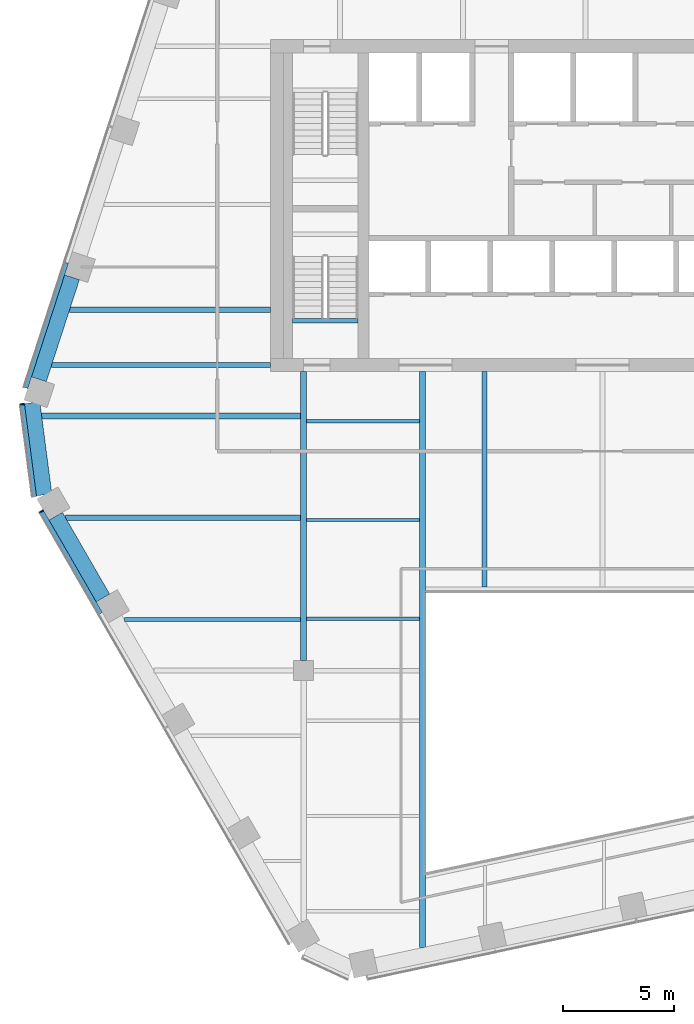
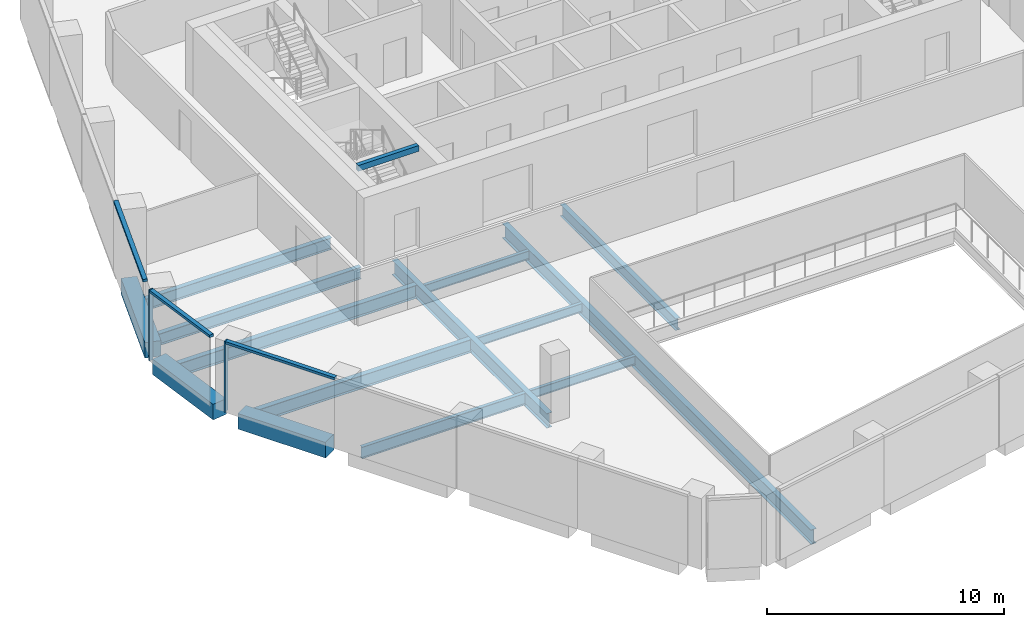
# One storey, part 3 of 15: 15 beams, 5 members, 3 elements without a shape of their own.
"""IFC4 building model written with IfcOpenShell, lengths in metres."""

from ifc_helpers import new_model, si_unit, direction, frame, origin, origin_2d, place, context, subcontext, project, spatial, rectangle, i_section, extrude, material, layer, layer_set, material_profile, profile_set, type_object, element, aggregate, save


model = new_model("IFC4")

# Units and contexts
model_context = context("Model", 3, precision=1e-05, world=origin(), true_north=direction((0.0, 1.0)))
body_context = subcontext(model_context, "Body", "Model", "MODEL_VIEW")
ifc_project = project(units=[si_unit("LENGTHUNIT", "METRE"), si_unit("AREAUNIT", "SQUARE_METRE"), si_unit("VOLUMEUNIT", "CUBIC_METRE"), si_unit("PLANEANGLEUNIT", "RADIAN"), si_unit("MASSUNIT", "GRAM", prefix="KILO")], contexts=[model_context])

# Site, building, storey
site_placement = place(None, origin())
site = spatial("IfcSite", under=ifc_project, at=site_placement, CompositionType="ELEMENT")
building_placement = place(site_placement, origin())
building = spatial("IfcBuilding", under=site, at=building_placement, Name="Isthmus Gate Tower", CompositionType="ELEMENT")
storey_placement = place(building_placement, frame((0.0, 0.0, 245.5)))
storey = spatial("IfcBuildingStorey", under=building, at=storey_placement, Name="L62", CompositionType="ELEMENT", Elevation=245.5)

# Curtain wall, member
ifc_material_1 = material(Name="Aluminium, pale champagne anodised", Category="aluminium")
ifc_layer = layer(ifc_material_1, 0.199951171875)
ifc_layer_set = layer_set([ifc_layer], Name="CW-1 UNITISED CURTAIN WALL 200 DEEP")
curtain_wall_type = type_object("IfcCurtainWallType", Name="CW-1 UNITISED CURTAIN WALL 200 DEEP", PredefinedType="NOTDEFINED", material=ifc_layer_set)
curtain_wall_1_placement = place(storey_placement, origin())
curtain_wall_1 = element("IfcCurtainWall", 1, at=curtain_wall_1_placement, inside=storey, type_object=curtain_wall_type, Name="CW-1 NW-SW L62", PredefinedType="NOTDEFINED")
ifc_material_2 = material(Name="Aluminium, pale champagne anodised", Category="aluminium")
ifc_material_profile_1 = material_profile(ifc_material_2, rectangle(XDim=0.06005859375, YDim=0.199951171875, at=origin_2d()), Name="60x200")
ifc_profile_set_1 = profile_set([ifc_material_profile_1], Name="Aluminium, pale champagne anodised")
member_type_1 = type_object("IfcMemberType", Name="CW-1 MULLION 60 X 200", PredefinedType="MULLION", material=ifc_profile_set_1)
member_1_placement = place(storey_placement, frame((-26.205322265625, -1.4658203125, 0.0), z_axis=(0.0, 0.0, 1.0), x_axis=(0.129164534, -0.991623175988, 0.0)))
member_1 = element("IfcMember", 2, at=member_1_placement, type_object=member_type_1, Name="CW-1 mullion", PredefinedType="MULLION", context=body_context, shape_type="SweptSolid", body=[
    extrude(rectangle(XDim=0.06005859375, YDim=0.199951171875, at=origin_2d()), origin(), (0.0, 0.0, 1.0), 3.64990234375),
])

curtain_wall_2_placement = place(storey_placement, origin())
curtain_wall_2 = element("IfcCurtainWall", 3, at=curtain_wall_2_placement, inside=storey, type_object=curtain_wall_type, Name="CW-1 SW L62", PredefinedType="NOTDEFINED")
member_2_placement = place(storey_placement, frame((-25.3427734375, -6.304931640625, 0.0), z_axis=(0.0, 0.0, 1.0), x_axis=(0.5, -0.866025403784, 0.0)))
member_2 = element("IfcMember", 4, at=member_2_placement, type_object=member_type_1, Name="CW-1 mullion", PredefinedType="MULLION", context=body_context, shape_type="SweptSolid", body=[
    extrude(rectangle(XDim=0.06005859375, YDim=0.199951171875, at=origin_2d()), origin(), (0.0, 0.0, 1.0), 3.64990234375),
])

curtain_wall_3_placement = place(storey_placement, origin())
curtain_wall_3 = element("IfcCurtainWall", 5, at=curtain_wall_3_placement, inside=storey, type_object=curtain_wall_type, Name="CW-1 NW L62", PredefinedType="NOTDEFINED")
ifc_material_3 = material(Name="Aluminium, pale champagne anodised", Category="aluminium")
ifc_material_profile_2 = material_profile(ifc_material_3, rectangle(XDim=0.199951171875, YDim=0.1298828125, at=origin_2d()), Name="200x130")
ifc_profile_set_2 = profile_set([ifc_material_profile_2], Name="Aluminium, pale champagne anodised")
member_type_2 = type_object("IfcMemberType", Name="CW-1 TRANSOM 200 X 130", PredefinedType="USERDEFINED", material=ifc_profile_set_2)
member_3_placement = place(storey_placement, frame((-24.217529296875, 4.92333984375, 3.5849609375), z_axis=(-0.309020108403, -0.951055504481, 0.0), x_axis=(0.951055504481, -0.309020108403, 0.0)))
member_3 = element("IfcMember", 6, at=member_3_placement, type_object=member_type_2, Name="CW-1 transom", ObjectType="TRANSOM", PredefinedType="USERDEFINED", context=body_context, shape_type="SweptSolid", body=[
    extrude(rectangle(XDim=0.199951171875, YDim=0.1298828125, at=origin_2d()), origin(), (0.0, 0.0, 1.0), 5.94189453125),
])
aggregate(curtain_wall_3, [member_3])

# Member
member_4_placement = place(storey_placement, frame((-26.20166015625, -1.495361328125, 3.5849609375), z_axis=(0.129206893318, -0.991617657527, 0.0), x_axis=(0.991617657527, 0.129206893318, 0.0)))
member_4 = element("IfcMember", 7, at=member_4_placement, type_object=member_type_2, Name="CW-1 transom", ObjectType="TRANSOM", PredefinedType="USERDEFINED", context=body_context, shape_type="SweptSolid", body=[
    extrude(rectangle(XDim=0.199951171875, YDim=0.1298828125, at=origin_2d()), origin(), (0.0, 0.0, 1.0), 4.181640625),
])

aggregate(curtain_wall_1, [member_1, member_4])

member_5_placement = place(storey_placement, frame((-25.327880859375, -6.3310546875, 3.5849609375), z_axis=(0.500022807565, -0.86601223543, 0.0), x_axis=(0.86601223543, 0.500022807565, 0.0)))
member_5 = element("IfcMember", 8, at=member_5_placement, type_object=member_type_2, Name="CW-1 transom", ObjectType="TRANSOM", PredefinedType="USERDEFINED", context=body_context, shape_type="SweptSolid", body=[
    extrude(rectangle(XDim=0.199951171875, YDim=0.1298828125, at=origin_2d()), origin(), (0.0, 0.0, 1.0), 5.300537109375),
])

aggregate(curtain_wall_2, [member_2, member_5])

# Beams
ifc_material_4 = material(Name="Concrete f'c 50 MPa", Category="concrete")
ifc_material_profile_3 = material_profile(ifc_material_4, rectangle(XDim=0.699951171875, YDim=0.800048828125, at=origin_2d()), Name="RC 700X800")
ifc_profile_set_3 = profile_set([ifc_material_profile_3], Name="Concrete f'c 50 MPa")
beam_type_1 = type_object("IfcBeamType", Name="RC SPANDREL 700 X 800", PredefinedType="SPANDREL", material=ifc_profile_set_3)
beam_1_placement = place(storey_placement, frame((-22.562744140625, -10.22021484375, -0.39990234375), z_axis=(-0.499996907167, 0.866027189425, 0.0), x_axis=(-0.866027189425, -0.499996907167, 0.0)))
element("IfcBeam", 9, at=beam_1_placement, inside=storey, type_object=beam_type_1, Name="str-spandrel-L62-19", PredefinedType="SPANDREL", context=body_context, shape_type="SweptSolid", body=[
    extrude(rectangle(XDim=0.699951171875, YDim=0.800048828125, at=origin_2d()), origin(), (0.0, 0.0, 1.0), 4.2607421875),
])
beam_2_placement = place(storey_placement, frame((-25.218017578125, -5.563232421875, -0.39990234375), z_axis=(-0.129137748309, 0.991626664608, 0.0), x_axis=(-0.991626664608, -0.129137748309, 0.0)))
element("IfcBeam", 10, at=beam_2_placement, inside=storey, type_object=beam_type_1, Name="str-spandrel-L62-20", PredefinedType="SPANDREL", context=body_context, shape_type="SweptSolid", body=[
    extrude(rectangle(XDim=0.699951171875, YDim=0.800048828125, at=origin_2d()), origin(), (0.0, 0.0, 1.0), 4.197021484375),
])
beam_3_placement = place(storey_placement, frame((-25.455810546875, -0.34375, -0.39990234375), z_axis=(0.309033626624, 0.951051111989, 0.0), x_axis=(-0.951051111989, 0.309033626624, 0.0)))
element("IfcBeam", 11, at=beam_3_placement, inside=storey, type_object=beam_type_1, Name="str-spandrel-L62-21", PredefinedType="SPANDREL", context=body_context, shape_type="SweptSolid", body=[
    extrude(rectangle(XDim=0.699951171875, YDim=0.800048828125, at=origin_2d()), origin(), (0.0, 0.0, 1.0), 4.842041015625),
])
ifc_material_5 = material(Name="Concrete f'c 40 MPa", Category="concrete")
ifc_material_profile_4 = material_profile(ifc_material_5, rectangle(XDim=0.199951171875, YDim=0.300048828125, at=origin_2d()), Name="STAIR LANDING BEAM RC 200 X 300")
ifc_profile_set_4 = profile_set([ifc_material_profile_4], Name="Concrete f'c 40 MPa")
beam_type_2 = type_object("IfcBeamType", Name="STAIR LANDING BEAM RC 200 X 300", PredefinedType="BEAM", material=ifc_profile_set_4)
beam_4_placement = place(storey_placement, frame((-14.0, 2.2998046875, 3.35009765625), z_axis=(1.0, 0.0, 0.0), x_axis=(0.0, 1.0, 0.0)))
element("IfcBeam", 12, at=beam_4_placement, inside=storey, type_object=beam_type_2, Name="L62 ST7 floor-edge seat beam", PredefinedType="BEAM", context=body_context, shape_type="SweptSolid", body=[
    extrude(rectangle(XDim=0.199951171875, YDim=0.300048828125, at=origin_2d()), origin(), (0.0, 0.0, 1.0), 2.949951171875),
])
ifc_material_6 = material(Name="Structural steel ASTM A992 Gr 50", Category="steel")
ifc_material_profile_5 = material_profile(ifc_material_6, i_section(OverallWidth=0.15234375, OverallDepth=0.45068359375, WebThickness=0.0078125, FlangeThickness=0.010986328125, at=origin_2d()), Name="W18X35")
ifc_profile_set_5 = profile_set([ifc_material_profile_5], Name="Structural steel ASTM A992 Gr 50")
beam_type_3 = type_object("IfcBeamType", Name="STEEL FLOOR BEAM W18X35", PredefinedType="JOIST", material=ifc_profile_set_5)
for number, where, z_axis, x_axis, name in (
    (13, (-13.3681640625, -11.16259765625, -0.37548828125), (1.0, 0.0, 0.0), (0.0, 1.0, 0.0), "str-beam-L62-03-00"),
    (14, (-13.3681640625, -6.697509765625, -0.37548828125), (1.0, 0.0, 0.0), (0.0, 1.0, 0.0), "str-beam-L62-03-01"),
    (15, (-13.3681640625, -2.232421875, -0.37548828125), (1.0, 0.0, 0.0), (0.0, 1.0, 0.0), "str-beam-L62-03-02"),
):
    element("IfcBeam", number, at=place(storey_placement, frame(where, z_axis=z_axis, x_axis=x_axis)), inside=storey, type_object=beam_type_3, Name=name, PredefinedType="JOIST", context=body_context, shape_type="SweptSolid", body=[
        extrude(i_section(OverallWidth=0.15234375, OverallDepth=0.45068359375, WebThickness=0.0078125, FlangeThickness=0.010986328125, at=origin_2d()), origin(), (0.0, 0.0, 1.0), 5.104736328125),
    ])
ifc_material_7 = material(Name="Structural steel ASTM A992 Gr 50", Category="steel")
ifc_material_profile_6 = material_profile(ifc_material_7, i_section(OverallWidth=0.177734375, OverallDepth=0.60009765625, WebThickness=0.009521484375, FlangeThickness=0.0126953125, at=origin_2d()), Name="W24X55")
ifc_profile_set_6 = profile_set([ifc_material_profile_6], Name="Structural steel ASTM A992 Gr 50")
beam_type_4 = type_object("IfcBeamType", Name="STEEL FLOOR BEAM W24X55", PredefinedType="JOIST", material=ifc_profile_set_6)
beam_5_placement = place(storey_placement, frame((-21.593017578125, -11.199951171875, -0.449951171875), z_axis=(1.0, 0.0, 0.0), x_axis=(0.0, 1.0, 0.0)))
element("IfcBeam", 16, at=beam_5_placement, inside=storey, type_object=beam_type_4, Name="str-beam-L62-01-00", PredefinedType="JOIST", context=body_context, shape_type="SweptSolid", body=[
    extrude(i_section(OverallWidth=0.177734375, OverallDepth=0.60009765625, WebThickness=0.009521484375, FlangeThickness=0.0126953125, at=origin_2d()), origin(), (0.0, 0.0, 1.0), 7.961181640625),
])
ifc_material_8 = material(Name="Structural steel ASTM A992 Gr 50", Category="steel")
ifc_material_profile_7 = material_profile(ifc_material_8, i_section(OverallWidth=0.228515625, OverallDepth=0.603271484375, WebThickness=0.010986328125, FlangeThickness=0.014404296875, at=origin_2d()), Name="W24X68")
ifc_profile_set_7 = profile_set([ifc_material_profile_7], Name="Structural steel ASTM A992 Gr 50")
beam_type_5 = type_object("IfcBeamType", Name="STEEL FLOOR BEAM W24X68", PredefinedType="JOIST", material=ifc_profile_set_7)
beam_6_placement = place(storey_placement, frame((-24.06787109375, 2.795166015625, -0.45166015625), z_axis=(1.0, 0.0, 0.0), x_axis=(0.0, 1.0, 0.0)))
element("IfcBeam", 17, at=beam_6_placement, inside=storey, type_object=beam_type_5, Name="str-beam-L62-00-00", PredefinedType="JOIST", context=body_context, shape_type="SweptSolid", body=[
    extrude(i_section(OverallWidth=0.228515625, OverallDepth=0.603271484375, WebThickness=0.010986328125, FlangeThickness=0.014404296875, at=origin_2d()), origin(), (0.0, 0.0, 1.0), 9.06787109375),
])
beam_7_placement = place(storey_placement, frame((-5.333251953125, -9.7333984375, -0.45166015625), z_axis=(0.0, 1.0, 0.0), x_axis=(-1.0, 0.0, 0.0)))
element("IfcBeam", 18, at=beam_7_placement, inside=storey, type_object=beam_type_5, Name="str-beam-L62-07-00", PredefinedType="JOIST", context=body_context, shape_type="SweptSolid", body=[
    extrude(i_section(OverallWidth=0.228515625, OverallDepth=0.603271484375, WebThickness=0.010986328125, FlangeThickness=0.014404296875, at=origin_2d()), origin(), (0.0, 0.0, 1.0), 9.7333984375),
])
ifc_material_9 = material(Name="Structural steel ASTM A992 Gr 50", Category="steel")
ifc_material_profile_8 = material_profile(ifc_material_9, i_section(OverallWidth=0.25390625, OverallDepth=0.679443359375, WebThickness=0.010986328125, FlangeThickness=0.015869140625, at=origin_2d()), Name="W27X84")
ifc_profile_set_8 = profile_set([ifc_material_profile_8], Name="Structural steel ASTM A992 Gr 50")
beam_type_6 = type_object("IfcBeamType", Name="STEEL FLOOR BEAM W27X84", PredefinedType="JOIST", material=ifc_profile_set_8)
beam_8_placement = place(storey_placement, frame((-24.248779296875, -6.60009765625, -0.48974609375), z_axis=(1.0, 0.0, 0.0), x_axis=(0.0, 1.0, 0.0)))
element("IfcBeam", 19, at=beam_8_placement, inside=storey, type_object=beam_type_6, Name="str-beam-L62-01-01", PredefinedType="JOIST", context=body_context, shape_type="SweptSolid", body=[
    extrude(i_section(OverallWidth=0.25390625, OverallDepth=0.679443359375, WebThickness=0.010986328125, FlangeThickness=0.015869140625, at=origin_2d()), origin(), (0.0, 0.0, 1.0), 10.616943359375),
])
beam_9_placement = place(storey_placement, frame((-25.3291015625, -2.0, -0.48974609375), z_axis=(1.0, 0.0, 0.0), x_axis=(0.0, 1.0, 0.0)))
element("IfcBeam", 20, at=beam_9_placement, inside=storey, type_object=beam_type_6, Name="str-beam-L62-01-02", PredefinedType="JOIST", context=body_context, shape_type="SweptSolid", body=[
    extrude(i_section(OverallWidth=0.25390625, OverallDepth=0.679443359375, WebThickness=0.010986328125, FlangeThickness=0.015869140625, at=origin_2d()), origin(), (0.0, 0.0, 1.0), 11.697265625),
])
ifc_material_10 = material(Name="Structural steel ASTM A992 Gr 50", Category="steel")
ifc_material_profile_9 = material_profile(ifc_material_10, i_section(OverallWidth=0.228515625, OverallDepth=0.6064453125, WebThickness=0.010986328125, FlangeThickness=0.017578125, at=origin_2d()), Name="W24X76")
ifc_profile_set_9 = profile_set([ifc_material_profile_9], Name="Structural steel ASTM A992 Gr 50")
beam_type_7 = type_object("IfcBeamType", Name="STEEL GIRDER W24X76", PredefinedType="BEAM", material=ifc_profile_set_9)
beam_10_placement = place(storey_placement, frame((-15.0, 0.300048828125, -0.453125), z_axis=(-1.0, 0.0, 0.0), x_axis=(0.0, -1.0, 0.0)))
element("IfcBeam", 21, at=beam_10_placement, inside=storey, type_object=beam_type_7, Name="str-girder-L62-09", PredefinedType="BEAM", context=body_context, shape_type="SweptSolid", body=[
    extrude(i_section(OverallWidth=0.228515625, OverallDepth=0.6064453125, WebThickness=0.010986328125, FlangeThickness=0.017578125, at=origin_2d()), origin(), (0.0, 0.0, 1.0), 9.878662109375),
])
ifc_material_11 = material(Name="Structural steel ASTM A992 Gr 50", Category="steel")
ifc_material_profile_10 = material_profile(ifc_material_11, i_section(OverallWidth=0.263427734375, OverallDepth=0.749267578125, WebThickness=0.0126953125, FlangeThickness=0.015869140625, at=origin_2d()), Name="W30X90")
ifc_profile_set_10 = profile_set([ifc_material_profile_10], Name="Structural steel ASTM A992 Gr 50")
beam_type_8 = type_object("IfcBeamType", Name="STEEL GIRDER W30X90", PredefinedType="BEAM", material=ifc_profile_set_10)
beam_11_placement = place(storey_placement, frame((-13.5, -13.050048828125, -0.524658203125), z_axis=(0.0, 1.0, 0.0), x_axis=(-1.0, 0.0, 0.0)))
element("IfcBeam", 22, at=beam_11_placement, inside=storey, type_object=beam_type_8, Name="str-girder-L62-06", PredefinedType="BEAM", context=body_context, shape_type="SweptSolid", body=[
    extrude(i_section(OverallWidth=0.263427734375, OverallDepth=0.749267578125, WebThickness=0.0126953125, FlangeThickness=0.015869140625, at=origin_2d()), origin(), (0.0, 0.0, 1.0), 13.050048828125),
])
ifc_material_12 = material(Name="Structural steel ASTM A992 Gr 50", Category="steel")
ifc_material_profile_11 = material_profile(ifc_material_12, i_section(OverallWidth=0.263427734375, OverallDepth=0.749267578125, WebThickness=0.0126953125, FlangeThickness=0.015869140625, at=origin_2d()), Name="W30X90")
ifc_profile_set_11 = profile_set([ifc_material_profile_11], Name="Structural steel ASTM A992 Gr 50")
beam_type_9 = type_object("IfcBeamType", Name="STEEL TRIMMER W30X90", PredefinedType="BEAM", material=ifc_profile_set_11)
beam_12_placement = place(storey_placement, frame((-8.1318359375, 0.0, -0.524658203125), z_axis=(0.0, -1.0, 0.0), x_axis=(1.0, 0.0, 0.0)))
element("IfcBeam", 23, at=beam_12_placement, inside=storey, type_object=beam_type_9, Name="str-trimmer-L62-02", PredefinedType="BEAM", context=body_context, shape_type="SweptSolid", body=[
    extrude(i_section(OverallWidth=0.263427734375, OverallDepth=0.749267578125, WebThickness=0.0126953125, FlangeThickness=0.015869140625, at=origin_2d()), origin(), (0.0, 0.0, 1.0), 26.012939453125),
])

save(model, "model.ifc")
